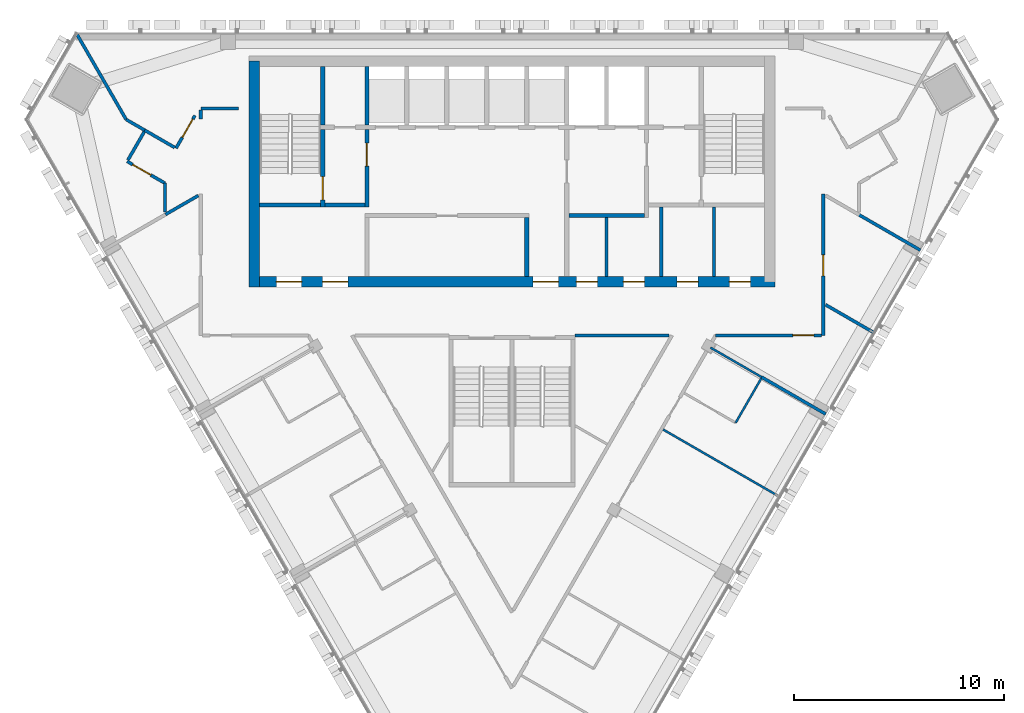
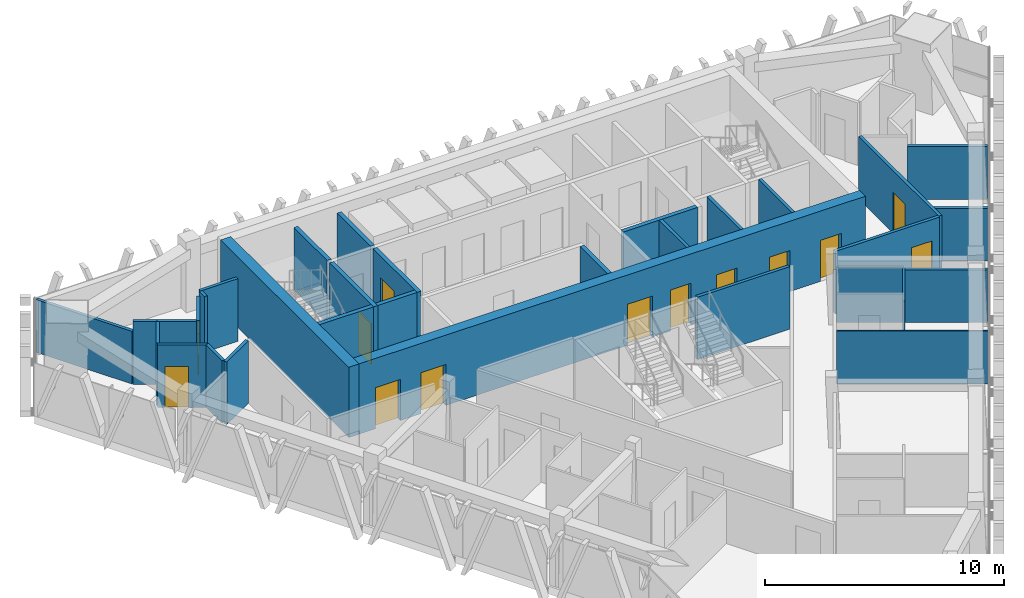
# One storey, part 9 of 14: 32 walls, 13 doors, 13 openings.
"""IFC4 building model written with IfcOpenShell, lengths in metres."""

from ifc_helpers import new_model, si_unit, direction, frame, frame_2d, origin, place, context, subcontext, project, spatial, rectangle, extrude, material, layer, layer_set, type_object, element, fill, save


model = new_model("IFC4")

# Units and contexts
model_context = context("Model", 3, precision=1e-05, world=origin(), true_north=direction((0.0, 1.0)))
body_context = subcontext(model_context, "Body", "Model", "MODEL_VIEW")
ifc_project = project(units=[si_unit("LENGTHUNIT", "METRE"), si_unit("AREAUNIT", "SQUARE_METRE"), si_unit("VOLUMEUNIT", "CUBIC_METRE"), si_unit("PLANEANGLEUNIT", "RADIAN"), si_unit("MASSUNIT", "GRAM", prefix="KILO")], contexts=[model_context])

# Site, building, storey
site_placement = place(None, origin())
site = spatial("IfcSite", under=ifc_project, at=site_placement, CompositionType="ELEMENT")
building_placement = place(site_placement, origin())
building = spatial("IfcBuilding", under=site, at=building_placement, Name="Altiplano Prism Tower", CompositionType="ELEMENT")
storey_placement = place(building_placement, frame((0.0, 0.0, 271.60009765625)))
storey = spatial("IfcBuildingStorey", under=building, at=storey_placement, Name="L70", CompositionType="ELEMENT", Elevation=271.60009765625)

# Wall, openings, doors
ifc_material_1 = material(Name="Concrete C60/75", Category="concrete")
ifc_layer_1 = layer(ifc_material_1, 0.5)
ifc_layer_set_1 = layer_set([ifc_layer_1], Name="Concrete C60/75")
wall_type_1 = type_object("IfcWallType", Name="Core wall 500", PredefinedType="SHEAR", material=ifc_layer_set_1)
wall_1_placement = place(storey_placement, frame((72.75, 93.14990234375, 0.0), z_axis=(0.0, 0.0, 1.0), x_axis=(1.0, 0.0, 0.0)))
wall_1 = element("IfcWall", 1, at=wall_1_placement, inside=storey, type_object=wall_type_1, Name="Core wall S L70", PredefinedType="SHEAR", context=body_context, shape_type="SweptSolid", body=[
    extrude(rectangle(XDim=24.75, YDim=0.5, at=frame_2d((12.375, 0.0))), origin(), (0.0, 0.0, 1.0), 3.599853515625),
])
opening_1_placement = place(wall_1_placement, frame((1.050048828125, 0.0, 0.0)))
opening_1 = element("IfcOpeningElement", 2, at=opening_1_placement, cuts=wall_1, Name="Opening D3567", PredefinedType="OPENING", context=body_context, shape_type="SweptSolid", body=[
    extrude(rectangle(XDim=1.199951171875, YDim=2.10009765625, at=frame_2d((0.60009765625, 1.050048828125))), frame((0.0, 0.260498046875, 0.0), z_axis=(0.0, -1.0, 0.0), x_axis=(1.0, 0.0, 0.0)), (0.0, 0.0, 1.0), 0.52099609375),
])
opening_2_placement = place(wall_1_placement, frame((3.25, 0.0, 0.0)))
opening_2 = element("IfcOpeningElement", 3, at=opening_2_placement, cuts=wall_1, Name="Opening D3568", PredefinedType="OPENING", context=body_context, shape_type="SweptSolid", body=[
    extrude(rectangle(XDim=1.199951171875, YDim=2.10009765625, at=frame_2d((0.60009765625, 1.050048828125))), frame((0.0, 0.260498046875, 0.0), z_axis=(0.0, -1.0, 0.0), x_axis=(1.0, 0.0, 0.0)), (0.0, 0.0, 1.0), 0.52099609375),
])
opening_3_placement = place(wall_1_placement, frame((13.25, 0.0, 0.0)))
opening_3 = element("IfcOpeningElement", 4, at=opening_3_placement, cuts=wall_1, Name="Opening D3569", PredefinedType="OPENING", context=body_context, shape_type="SweptSolid", body=[
    extrude(rectangle(XDim=1.199951171875, YDim=2.10009765625, at=frame_2d((0.60009765625, 1.050048828125))), frame((0.0, 0.260498046875, 0.0), z_axis=(0.0, -1.0, 0.0), x_axis=(1.0, 0.0, 0.0)), (0.0, 0.0, 1.0), 0.52099609375),
])
opening_4_placement = place(wall_1_placement, frame((15.3125, 0.0, 0.0)))
opening_4 = element("IfcOpeningElement", 5, at=opening_4_placement, cuts=wall_1, Name="Opening D3572", PredefinedType="OPENING", context=body_context, shape_type="SweptSolid", body=[
    extrude(rectangle(XDim=1.0, YDim=2.10009765625, at=frame_2d((0.5, 1.050048828125))), frame((0.0, 0.260498046875, 0.0), z_axis=(0.0, -1.0, 0.0), x_axis=(1.0, 0.0, 0.0)), (0.0, 0.0, 1.0), 0.52099609375),
])
opening_5_placement = place(wall_1_placement, frame((17.550048828125, 0.0, 0.0)))
opening_5 = element("IfcOpeningElement", 6, at=opening_5_placement, cuts=wall_1, Name="Opening D3573", PredefinedType="OPENING", context=body_context, shape_type="SweptSolid", body=[
    extrude(rectangle(XDim=1.0, YDim=2.10009765625, at=frame_2d((0.5, 1.050048828125))), frame((0.0, 0.260498046875, 0.0), z_axis=(0.0, -1.0, 0.0), x_axis=(1.0, 0.0, 0.0)), (0.0, 0.0, 1.0), 0.52099609375),
])
opening_6_placement = place(wall_1_placement, frame((20.10009765625, 0.0, 0.0)))
opening_6 = element("IfcOpeningElement", 7, at=opening_6_placement, cuts=wall_1, Name="Opening D3574", PredefinedType="OPENING", context=body_context, shape_type="SweptSolid", body=[
    extrude(rectangle(XDim=1.0, YDim=2.10009765625, at=frame_2d((0.5, 1.050048828125))), frame((0.0, 0.260498046875, 0.0), z_axis=(0.0, -1.0, 0.0), x_axis=(1.0, 0.0, 0.0)), (0.0, 0.0, 1.0), 0.52099609375),
])
opening_7_placement = place(wall_1_placement, frame((22.58740234375, 0.0, 0.0)))
opening_7 = element("IfcOpeningElement", 8, at=opening_7_placement, cuts=wall_1, Name="Opening D3575", PredefinedType="OPENING", context=body_context, shape_type="SweptSolid", body=[
    extrude(rectangle(XDim=1.0, YDim=2.10009765625, at=frame_2d((0.5, 1.050048828125))), frame((0.0, 0.260498046875, 0.0), z_axis=(0.0, -1.0, 0.0), x_axis=(1.0, 0.0, 0.0)), (0.0, 0.0, 1.0), 0.52099609375),
])
ifc_material_2 = material(Name="Fire-rated steel door", Category="steel")
door_type_1 = type_object("IfcDoorType", Name="Core room door 1000 x 2100", OperationType="NOTDEFINED", PredefinedType="NOTDEFINED", material=ifc_material_2)
door_1_placement = place(opening_4_placement, origin())
door_1 = element("IfcDoor", 9, at=door_1_placement, inside=storey, type_object=door_type_1, Name="Core room door D3572", OperationType="SINGLE_SWING_RIGHT", OverallHeight=2.10009765625, OverallWidth=1.0, PredefinedType="NOTDEFINED", context=body_context, shape_type="SweptSolid", body=[
    extrude(rectangle(XDim=1.0, YDim=2.10009765625, at=frame_2d((0.5, 1.050048828125))), frame((0.0, 0.02490234375, 0.0), z_axis=(0.0, -1.0, 0.0), x_axis=(1.0, 0.0, 0.0)), (0.0, 0.0, 1.0), 0.050048828125),
])
fill(opening_4, door_1)
door_2_placement = place(opening_5_placement, origin())
door_2 = element("IfcDoor", 10, at=door_2_placement, inside=storey, type_object=door_type_1, Name="Core room door D3573", OperationType="SINGLE_SWING_LEFT", OverallHeight=2.10009765625, OverallWidth=1.0, PredefinedType="NOTDEFINED", context=body_context, shape_type="SweptSolid", body=[
    extrude(rectangle(XDim=1.0, YDim=2.10009765625, at=frame_2d((0.5, 1.050048828125))), frame((0.0, 0.02490234375, 0.0), z_axis=(0.0, -1.0, 0.0), x_axis=(1.0, 0.0, 0.0)), (0.0, 0.0, 1.0), 0.050048828125),
])
fill(opening_5, door_2)
door_3_placement = place(opening_6_placement, origin())
door_3 = element("IfcDoor", 11, at=door_3_placement, inside=storey, type_object=door_type_1, Name="Core room door D3574", OperationType="SINGLE_SWING_RIGHT", OverallHeight=2.10009765625, OverallWidth=1.0, PredefinedType="NOTDEFINED", context=body_context, shape_type="SweptSolid", body=[
    extrude(rectangle(XDim=1.0, YDim=2.10009765625, at=frame_2d((0.5, 1.050048828125))), frame((0.0, 0.02490234375, 0.0), z_axis=(0.0, -1.0, 0.0), x_axis=(1.0, 0.0, 0.0)), (0.0, 0.0, 1.0), 0.050048828125),
])
fill(opening_6, door_3)
door_4_placement = place(opening_7_placement, origin())
door_4 = element("IfcDoor", 12, at=door_4_placement, inside=storey, type_object=door_type_1, Name="Core room door D3575", OperationType="SINGLE_SWING_LEFT", OverallHeight=2.10009765625, OverallWidth=1.0, PredefinedType="NOTDEFINED", context=body_context, shape_type="SweptSolid", body=[
    extrude(rectangle(XDim=1.0, YDim=2.10009765625, at=frame_2d((0.5, 1.050048828125))), frame((0.0, 0.02490234375, 0.0), z_axis=(0.0, -1.0, 0.0), x_axis=(1.0, 0.0, 0.0)), (0.0, 0.0, 1.0), 0.050048828125),
])
fill(opening_7, door_4)
door_type_2 = type_object("IfcDoorType", Name="Lobby fire door 1200 x 2100", OperationType="NOTDEFINED", PredefinedType="NOTDEFINED", material=ifc_material_2)
door_5_placement = place(opening_1_placement, origin())
door_5 = element("IfcDoor", 13, at=door_5_placement, inside=storey, type_object=door_type_2, Name="Lobby fire door D3567", OperationType="SINGLE_SWING_RIGHT", OverallHeight=2.10009765625, OverallWidth=1.199951171875, PredefinedType="NOTDEFINED", context=body_context, shape_type="SweptSolid", body=[
    extrude(rectangle(XDim=1.199951171875, YDim=2.10009765625, at=frame_2d((0.60009765625, 1.050048828125))), frame((0.0, 0.02490234375, 0.0), z_axis=(0.0, -1.0, 0.0), x_axis=(1.0, 0.0, 0.0)), (0.0, 0.0, 1.0), 0.050048828125),
])
fill(opening_1, door_5)
door_6_placement = place(opening_2_placement, origin())
door_6 = element("IfcDoor", 14, at=door_6_placement, inside=storey, type_object=door_type_2, Name="Lobby fire door D3568", OperationType="SINGLE_SWING_LEFT", OverallHeight=2.10009765625, OverallWidth=1.199951171875, PredefinedType="NOTDEFINED", context=body_context, shape_type="SweptSolid", body=[
    extrude(rectangle(XDim=1.199951171875, YDim=2.10009765625, at=frame_2d((0.60009765625, 1.050048828125))), frame((0.0, 0.02490234375, 0.0), z_axis=(0.0, -1.0, 0.0), x_axis=(1.0, 0.0, 0.0)), (0.0, 0.0, 1.0), 0.050048828125),
])
fill(opening_2, door_6)
door_7_placement = place(opening_3_placement, origin())
door_7 = element("IfcDoor", 15, at=door_7_placement, inside=storey, type_object=door_type_2, Name="Lobby fire door D3569", OperationType="SINGLE_SWING_RIGHT", OverallHeight=2.10009765625, OverallWidth=1.199951171875, PredefinedType="NOTDEFINED", context=body_context, shape_type="SweptSolid", body=[
    extrude(rectangle(XDim=1.199951171875, YDim=2.10009765625, at=frame_2d((0.60009765625, 1.050048828125))), frame((0.0, 0.02490234375, 0.0), z_axis=(0.0, -1.0, 0.0), x_axis=(1.0, 0.0, 0.0)), (0.0, 0.0, 1.0), 0.050048828125),
])
fill(opening_3, door_7)

# Walls
wall_2_placement = place(storey_placement, frame((72.75, 103.64990234375, 0.0), z_axis=(0.0, 0.0, 1.0), x_axis=(0.0, -1.0, 0.0)))
element("IfcWall", 16, at=wall_2_placement, inside=storey, type_object=wall_type_1, Name="Core wall W L70", PredefinedType="SHEAR", context=body_context, shape_type="SweptSolid", body=[
    extrude(rectangle(XDim=10.75, YDim=0.5, at=frame_2d((5.375, 0.0))), origin(), (0.0, 0.0, 1.0), 3.599853515625),
])
ifc_material_3 = material(Name="Plasterboard on steel stud", Category="steel")
ifc_layer_2 = layer(ifc_material_3, 0.10009765625)
ifc_layer_set_2 = layer_set([ifc_layer_2], Name="Plasterboard on steel stud")
wall_type_2 = type_object("IfcWallType", Name="Partition 100 unit", PredefinedType="PARTITIONING", material=ifc_layer_set_2)
wall_3_placement = place(storey_placement, frame((96.846435546875, 88.545654296875, 0.0), z_axis=(0.0, 0.0, 1.0), x_axis=(-0.499972286653, -0.866041403502, 0.0)))
element("IfcWall", 17, at=wall_3_placement, inside=storey, type_object=wall_type_2, Name="Partition P02 L70 051", PredefinedType="PARTITIONING", context=body_context, shape_type="SweptSolid", body=[
    extrude(rectangle(XDim=2.425048828125, YDim=0.10009765625, at=frame_2d((1.21240234375, 0.0))), origin(), (0.0, 0.0, 1.0), 2.7998046875),
])
ifc_layer_3 = layer(ifc_material_3, 0.10009765625)
ifc_layer_set_3 = layer_set([ifc_layer_3], Name="Plasterboard on steel stud")
wall_type_3 = type_object("IfcWallType", Name="Partition 100 wet", PredefinedType="PARTITIONING", material=ifc_layer_set_3)
wall_4_placement = place(storey_placement, frame((97.6826171875, 82.953369140625, 0.0), z_axis=(0.0, 0.0, 1.0), x_axis=(-0.866025401434, 0.500000004071, 0.0)))
element("IfcWall", 18, at=wall_4_placement, inside=storey, type_object=wall_type_3, Name="Partition P03 L70 050", PredefinedType="PARTITIONING", context=body_context, shape_type="SweptSolid", body=[
    extrude(rectangle(XDim=6.34521484375, YDim=0.10009765625, at=frame_2d((3.172607421875, 0.0))), origin(), (0.0, 0.0, 1.0), 2.699951171875),
])
wall_5_placement = place(storey_placement, frame((96.86669921875, 88.62060546875, 0.0), z_axis=(0.0, 0.0, 1.0), x_axis=(-0.866049342339, 0.499958534914, 0.0)))
element("IfcWall", 19, at=wall_5_placement, inside=storey, type_object=wall_type_3, Name="Partition P03 L70 054", PredefinedType="PARTITIONING", context=body_context, shape_type="SweptSolid", body=[
    extrude(rectangle(XDim=2.804931640625, YDim=0.10009765625, at=frame_2d((1.40234375, 0.0))), origin(), (0.0, 0.0, 1.0), 2.7998046875),
])
ifc_layer_4 = layer(ifc_material_3, 0.14990234375)
ifc_layer_set_4 = layer_set([ifc_layer_4], Name="Plasterboard on steel stud")
wall_type_4 = type_object("IfcWallType", Name="Partition 150 corridor", PredefinedType="PARTITIONING", material=ifc_layer_set_4)
wall_6_placement = place(storey_placement, frame((88.0, 90.59912109375, 0.0), z_axis=(0.0, 0.0, 1.0), x_axis=(0.99999998661, 0.000163648263, 0.0)))
element("IfcWall", 20, at=wall_6_placement, inside=storey, type_object=wall_type_4, Name="Partition P06 L70 001", PredefinedType="PARTITIONING", context=body_context, shape_type="SweptSolid", body=[
    extrude(rectangle(XDim=4.4755859375, YDim=0.14990234375, at=frame_2d((2.23779296875, 0.0))), origin(), (0.0, 0.0, 1.0), 3.199951171875),
])
wall_7_placement = place(storey_placement, frame((67.51318359375, 100.28515625, 0.0), z_axis=(0.0, 0.0, 1.0), x_axis=(-0.499899694197, -0.866083307622, 0.0)))
element("IfcWall", 21, at=wall_7_placement, inside=storey, type_object=wall_type_4, Name="Partition P06 L70 005", PredefinedType="PARTITIONING", context=body_context, shape_type="SweptSolid", body=[
    extrude(rectangle(XDim=1.550048828125, YDim=0.14990234375, at=frame_2d((0.77490234375, 0.0))), origin(), (0.0, 0.0, 1.0), 3.199951171875),
])

# Wall, opening, door
wall_8_placement = place(storey_placement, frame((66.70068359375, 98.877685546875, 0.0), z_axis=(0.0, 0.0, 1.0), x_axis=(0.866029041019, -0.499993700073, 0.0)))
wall_8 = element("IfcWall", 22, at=wall_8_placement, inside=storey, type_object=wall_type_4, Name="Partition P06 L70 006", PredefinedType="PARTITIONING", context=body_context, shape_type="SweptSolid", body=[
    extrude(rectangle(XDim=2.07763671875, YDim=0.14990234375, at=frame_2d((1.038818359375, 0.0))), origin(), (0.0, 0.0, 1.0), 3.199951171875),
])
opening_8_placement = place(wall_8_placement, frame((0.302001953125, 0.0, 0.0)))
opening_8 = element("IfcOpeningElement", 23, at=opening_8_placement, cuts=wall_8, Name="Opening D2207", PredefinedType="OPENING", context=body_context, shape_type="SweptSolid", body=[
    extrude(rectangle(XDim=1.0, YDim=2.10009765625, at=frame_2d((0.5, 1.050048828125))), frame((0.0, 0.08544921875, 0.0), z_axis=(0.0, -1.0, 0.0), x_axis=(1.0, 0.0, 0.0)), (0.0, 0.0, 1.0), 0.1708984375),
])
ifc_material_4 = material(Name="Timber", Category="wood")
door_type_3 = type_object("IfcDoorType", Name="Room door 1000 x 2100", OperationType="NOTDEFINED", PredefinedType="NOTDEFINED", material=ifc_material_4)
door_8_placement = place(opening_8_placement, origin())
door_8 = element("IfcDoor", 24, at=door_8_placement, inside=storey, type_object=door_type_3, Name="Door D2207", OperationType="SINGLE_SWING_RIGHT", OverallHeight=2.10009765625, OverallWidth=1.0, PredefinedType="NOTDEFINED", context=body_context, shape_type="SweptSolid", body=[
    extrude(rectangle(XDim=1.0, YDim=2.10009765625, at=frame_2d((0.5, 1.050048828125))), frame((0.0, 0.02490234375, 0.0), z_axis=(0.0, -1.0, 0.0), x_axis=(1.0, 0.0, 0.0)), (0.0, 0.0, 1.0), 0.050048828125),
])
fill(opening_8, door_8)

# Walls
wall_9_placement = place(storey_placement, frame((68.5, 97.8388671875, 0.0), z_axis=(0.0, 0.0, 1.0), x_axis=(0.0, -1.0, 0.0)))
element("IfcWall", 25, at=wall_9_placement, inside=storey, type_object=wall_type_4, Name="Partition P06 L70 007", PredefinedType="PARTITIONING", context=body_context, shape_type="SweptSolid", body=[
    extrude(rectangle(XDim=1.37109375, YDim=0.14990234375, at=frame_2d((0.685546875, 0.0))), origin(), (0.0, 0.0, 1.0), 3.199951171875),
])
wall_10_placement = place(storey_placement, frame((68.52001953125, 96.349365234375, 0.0), z_axis=(0.0, 0.0, 1.0), x_axis=(0.866001380566, 0.500041607127, 0.0)))
element("IfcWall", 26, at=wall_10_placement, inside=storey, type_object=wall_type_4, Name="Partition P06 L70 008", PredefinedType="PARTITIONING", context=body_context, shape_type="SweptSolid", body=[
    extrude(rectangle(XDim=1.809814453125, YDim=0.14990234375, at=frame_2d((0.90478515625, 0.0))), origin(), (0.0, 0.0, 1.0), 3.199951171875),
])

# Wall, opening, door
wall_11_placement = place(storey_placement, frame((94.68408203125, 90.60009765625, 0.0), z_axis=(0.0, 0.0, 1.0), x_axis=(1.0, 0.0, 0.0)))
wall_11 = element("IfcWall", 27, at=wall_11_placement, inside=storey, type_object=wall_type_4, Name="Partition P06 L70 013", PredefinedType="PARTITIONING", context=body_context, shape_type="SweptSolid", body=[
    extrude(rectangle(XDim=5.041015625, YDim=0.14990234375, at=frame_2d((2.5205078125, 0.0))), origin(), (0.0, 0.0, 1.0), 3.199951171875),
])
opening_9_placement = place(wall_11_placement, frame((3.672119140625, 0.0, 0.0)))
opening_9 = element("IfcOpeningElement", 28, at=opening_9_placement, cuts=wall_11, Name="Opening D2222", PredefinedType="OPENING", context=body_context, shape_type="SweptSolid", body=[
    extrude(rectangle(XDim=1.0, YDim=2.10009765625, at=frame_2d((0.5, 1.050048828125))), frame((0.0, 0.08544921875, 0.0), z_axis=(0.0, -1.0, 0.0), x_axis=(1.0, 0.0, 0.0)), (0.0, 0.0, 1.0), 0.1708984375),
])
door_9_placement = place(opening_9_placement, origin())
door_9 = element("IfcDoor", 29, at=door_9_placement, inside=storey, type_object=door_type_3, Name="Door D2222", OperationType="SINGLE_SWING_RIGHT", OverallHeight=2.10009765625, OverallWidth=1.0, PredefinedType="NOTDEFINED", context=body_context, shape_type="SweptSolid", body=[
    extrude(rectangle(XDim=1.0, YDim=2.10009765625, at=frame_2d((0.5, 1.050048828125))), frame((0.0, 0.02490234375, 0.0), z_axis=(0.0, -1.0, 0.0), x_axis=(1.0, 0.0, 0.0)), (0.0, 0.0, 1.0), 0.050048828125),
])
fill(opening_9, door_9)

wall_12_placement = place(storey_placement, frame((99.800048828125, 90.60009765625, 0.0), z_axis=(0.0, 0.0, 1.0), x_axis=(0.0, 1.0, 0.0)))
wall_12 = element("IfcWall", 30, at=wall_12_placement, inside=storey, type_object=wall_type_4, Name="Partition P06 L70 014", PredefinedType="PARTITIONING", context=body_context, shape_type="SweptSolid", body=[
    extrude(rectangle(XDim=6.71923828125, YDim=0.14990234375, at=frame_2d((3.359619140625, 0.0))), origin(), (0.0, 0.0, 1.0), 3.199951171875),
])
opening_10_placement = place(wall_12_placement, frame((2.826904296875, 0.0, 0.0)))
opening_10 = element("IfcOpeningElement", 31, at=opening_10_placement, cuts=wall_12, Name="Opening D2223", PredefinedType="OPENING", context=body_context, shape_type="SweptSolid", body=[
    extrude(rectangle(XDim=1.0, YDim=2.10009765625, at=frame_2d((0.5, 1.050048828125))), frame((0.0, 0.08544921875, 0.0), z_axis=(0.0, -1.0, 0.0), x_axis=(1.0, 0.0, 0.0)), (0.0, 0.0, 1.0), 0.1708984375),
])
door_10_placement = place(opening_10_placement, origin())
door_10 = element("IfcDoor", 32, at=door_10_placement, inside=storey, type_object=door_type_3, Name="Door D2223", OperationType="SINGLE_SWING_RIGHT", OverallHeight=2.10009765625, OverallWidth=1.0, PredefinedType="NOTDEFINED", context=body_context, shape_type="SweptSolid", body=[
    extrude(rectangle(XDim=1.0, YDim=2.10009765625, at=frame_2d((0.5, 1.050048828125))), frame((0.0, 0.02490234375, 0.0), z_axis=(0.0, -1.0, 0.0), x_axis=(1.0, 0.0, 0.0)), (0.0, 0.0, 1.0), 0.050048828125),
])
fill(opening_10, door_10)

# Walls
wall_13_placement = place(storey_placement, frame((72.0, 101.39990234375, 0.0), z_axis=(0.0, 0.0, 1.0), x_axis=(-1.0, 0.0, 0.0)))
element("IfcWall", 33, at=wall_13_placement, inside=storey, type_object=wall_type_4, Name="Partition P06 L70 019", PredefinedType="PARTITIONING", context=body_context, shape_type="SweptSolid", body=[
    extrude(rectangle(XDim=1.800048828125, YDim=0.14990234375, at=frame_2d((0.89990234375, 0.0))), origin(), (0.0, 0.0, 1.0), 3.199951171875),
])
wall_14_placement = place(storey_placement, frame((70.199951171875, 101.324951171875, 0.0), z_axis=(0.0, 0.0, 1.0), x_axis=(0.0, -1.0, 0.0)))
element("IfcWall", 34, at=wall_14_placement, inside=storey, type_object=wall_type_4, Name="Partition P06 L70 020", PredefinedType="PARTITIONING", context=body_context, shape_type="SweptSolid", body=[
    extrude(rectangle(XDim=0.426025390625, YDim=0.14990234375, at=frame_2d((0.212890625, 0.0))), origin(), (0.0, 0.0, 1.0), 3.199951171875),
])

# Wall, opening, door
wall_15_placement = place(storey_placement, frame((69.9228515625, 101.058837890625, 0.0), z_axis=(0.0, 0.0, 1.0), x_axis=(-0.499961193289, -0.866047807691, 0.0)))
wall_15 = element("IfcWall", 35, at=wall_15_placement, inside=storey, type_object=wall_type_4, Name="Partition P06 L70 021", PredefinedType="PARTITIONING", context=body_context, shape_type="SweptSolid", body=[
    extrude(rectangle(XDim=1.800048828125, YDim=0.14990234375, at=frame_2d((0.89990234375, 0.0))), origin(), (0.0, 0.0, 1.0), 3.199951171875),
])
opening_11_placement = place(wall_15_placement, frame((0.199951171875, 0.0, 0.0)))
opening_11 = element("IfcOpeningElement", 36, at=opening_11_placement, cuts=wall_15, Name="Opening D2225", PredefinedType="OPENING", context=body_context, shape_type="SweptSolid", body=[
    extrude(rectangle(XDim=1.0, YDim=2.10009765625, at=frame_2d((0.5, 1.050048828125))), frame((0.0, 0.08544921875, 0.0), z_axis=(0.0, -1.0, 0.0), x_axis=(1.0, 0.0, 0.0)), (0.0, 0.0, 1.0), 0.1708984375),
])
door_11_placement = place(opening_11_placement, origin())
door_11 = element("IfcDoor", 37, at=door_11_placement, inside=storey, type_object=door_type_3, Name="Door D2225", OperationType="SINGLE_SWING_LEFT", OverallHeight=2.10009765625, OverallWidth=1.0, PredefinedType="NOTDEFINED", context=body_context, shape_type="SweptSolid", body=[
    extrude(rectangle(XDim=1.0, YDim=2.10009765625, at=frame_2d((0.5, 1.050048828125))), frame((0.0, 0.02490234375, 0.0), z_axis=(0.0, -1.0, 0.0), x_axis=(1.0, 0.0, 0.0)), (0.0, 0.0, 1.0), 0.050048828125),
])
fill(opening_11, door_11)

# Walls
wall_16_placement = place(storey_placement, frame((68.9580078125, 99.53759765625, 0.0), z_axis=(0.0, 0.0, 1.0), x_axis=(-0.866015045157, 0.50001794124, 0.0)))
element("IfcWall", 38, at=wall_16_placement, inside=storey, type_object=wall_type_4, Name="Partition P06 L70 022", PredefinedType="PARTITIONING", context=body_context, shape_type="SweptSolid", body=[
    extrude(rectangle(XDim=1.64501953125, YDim=0.14990234375, at=frame_2d((0.822509765625, 0.0))), origin(), (0.0, 0.0, 1.0), 3.199951171875),
])
ifc_layer_5 = layer(ifc_material_3, 0.14990234375)
ifc_layer_set_5 = layer_set([ifc_layer_5], Name="Plasterboard on steel stud")
wall_type_5 = type_object("IfcWallType", Name="Partition 150 party", PredefinedType="PARTITIONING", material=ifc_layer_set_5)
wall_17_placement = place(storey_placement, frame((67.533447265625, 100.360107421875, 0.0), z_axis=(0.0, 0.0, 1.0), x_axis=(-0.866049759928, 0.499957811549, 0.0)))
element("IfcWall", 39, at=wall_17_placement, inside=storey, type_object=wall_type_5, Name="Partition P01 L70 030", PredefinedType="PARTITIONING", context=body_context, shape_type="SweptSolid", body=[
    extrude(rectangle(XDim=1.017578125, YDim=0.14990234375, at=frame_2d((0.5087890625, 0.0))), origin(), (0.0, 0.0, 1.0), 3.199951171875),
])
wall_18_placement = place(storey_placement, frame((66.652099609375, 100.868896484375, 0.0), z_axis=(0.0, 0.0, 1.0), x_axis=(-0.500014543469, 0.866017006946, 0.0)))
element("IfcWall", 40, at=wall_18_placement, inside=storey, type_object=wall_type_5, Name="Partition P01 L70 031", PredefinedType="PARTITIONING", context=body_context, shape_type="SweptSolid", body=[
    extrude(rectangle(XDim=4.654541015625, YDim=0.14990234375, at=frame_2d((2.3271484375, 0.0))), origin(), (0.0, 0.0, 1.0), 2.699951171875),
])
wall_19_placement = place(storey_placement, frame((99.9150390625, 86.860595703125, 0.0), z_axis=(0.0, 0.0, 1.0), x_axis=(-0.866019260715, 0.500010639957, 0.0)))
element("IfcWall", 41, at=wall_19_placement, inside=storey, type_object=wall_type_5, Name="Partition P01 L70 053", PredefinedType="PARTITIONING", context=body_context, shape_type="SweptSolid", body=[
    extrude(rectangle(XDim=3.52001953125, YDim=0.14990234375, at=frame_2d((1.760009765625, 0.0))), origin(), (0.0, 0.0, 1.0), 2.699951171875),
])
wall_20_placement = place(storey_placement, frame((102.1826171875, 90.74755859375, 0.0), z_axis=(0.0, 0.0, 1.0), x_axis=(-0.866033583042, 0.499985832843, 0.0)))
element("IfcWall", 42, at=wall_20_placement, inside=storey, type_object=wall_type_5, Name="Partition P01 L70 055", PredefinedType="PARTITIONING", context=body_context, shape_type="SweptSolid", body=[
    extrude(rectangle(XDim=2.62109375, YDim=0.14990234375, at=frame_2d((1.310546875, 0.0))), origin(), (0.0, 0.0, 1.0), 2.699951171875),
])
wall_21_placement = place(storey_placement, frame((104.4150390625, 94.65478515625, 0.0), z_axis=(0.0, 0.0, 1.0), x_axis=(-0.866011654119, 0.500023814363, 0.0)))
element("IfcWall", 43, at=wall_21_placement, inside=storey, type_object=wall_type_5, Name="Partition P01 L70 056", PredefinedType="PARTITIONING", context=body_context, shape_type="SweptSolid", body=[
    extrude(rectangle(XDim=3.365966796875, YDim=0.14990234375, at=frame_2d((1.68310546875, 0.0))), origin(), (0.0, 0.0, 1.0), 2.699951171875),
])
ifc_material_5 = material(Name="Fire-rated gypsum board partition")
ifc_layer_6 = layer(ifc_material_5, 0.14990234375)
ifc_layer_set_6 = layer_set([ifc_layer_6], Name="Fire-rated gypsum board partition")
wall_type_6 = type_object("IfcWallType", Name="Room partition 150", PredefinedType="PARTITIONING", material=ifc_layer_set_6)
wall_22_placement = place(storey_placement, frame((89.5, 93.39990234375, 0.0), z_axis=(0.0, 0.0, 1.0), x_axis=(0.0, 1.0, 0.0)))
element("IfcWall", 44, at=wall_22_placement, inside=storey, type_object=wall_type_6, Name="Room partition L70", PredefinedType="PARTITIONING", context=body_context, shape_type="SweptSolid", body=[
    extrude(rectangle(XDim=2.800048828125, YDim=0.14990234375, at=frame_2d((1.39990234375, 0.0))), origin(), (0.0, 0.0, 1.0), 3.199951171875),
])
for number, where, z_axis, x_axis, name in (
    (45, (92.10009765625, 93.39990234375, 0.0), (0.0, 0.0, 1.0), (0.0, 1.0, 0.0), "Room partition L70"),
    (46, (94.60009765625, 93.39990234375, 0.0), (0.0, 0.0, 1.0), (0.0, 1.0, 0.0), "Room partition L70"),
):
    element("IfcWall", number, at=place(storey_placement, frame(where, z_axis=z_axis, x_axis=x_axis)), inside=storey, type_object=wall_type_6, Name=name, PredefinedType="PARTITIONING", context=body_context, shape_type="SweptSolid", body=[
        extrude(rectangle(XDim=3.300048828125, YDim=0.14990234375, at=frame_2d((1.64990234375, 0.0))), origin(), (0.0, 0.0, 1.0), 3.199951171875),
    ])
ifc_layer_7 = layer(ifc_material_1, 0.199951171875)
ifc_layer_set_7 = layer_set([ifc_layer_7], Name="Concrete C60/75")
wall_type_7 = type_object("IfcWallType", Name="Shaft wall 200", PredefinedType="SOLIDWALL", material=ifc_layer_set_7)
wall_23_placement = place(storey_placement, frame((78.10009765625, 100.60009765625, 0.0), z_axis=(0.0, 0.0, 1.0), x_axis=(0.0, 1.0, 0.0)))
element("IfcWall", 47, at=wall_23_placement, inside=storey, type_object=wall_type_7, Name="Shaft wall L70", PredefinedType="SOLIDWALL", context=body_context, shape_type="SweptSolid", body=[
    extrude(rectangle(XDim=2.7998046875, YDim=0.199951171875, at=frame_2d((1.39990234375, 0.0))), origin(), (0.0, 0.0, 1.0), 3.199951171875),
])
ifc_layer_8 = layer(ifc_material_1, 0.199951171875)
ifc_layer_set_8 = layer_set([ifc_layer_8], Name="Concrete C60/75")
wall_type_8 = type_object("IfcWallType", Name="Stair wall 200", PredefinedType="SOLIDWALL", material=ifc_layer_set_8)
wall_24_placement = place(storey_placement, frame((73.0, 96.800048828125, 0.0), z_axis=(0.0, 0.0, 1.0), x_axis=(1.0, 0.0, 0.0)))
element("IfcWall", 48, at=wall_24_placement, inside=storey, type_object=wall_type_8, Name="Stair wall L70", PredefinedType="SOLIDWALL", context=body_context, shape_type="SweptSolid", body=[
    extrude(rectangle(XDim=2.89990234375, YDim=0.199951171875, at=frame_2d((1.449951171875, 0.0))), origin(), (0.0, 0.0, 1.0), 3.199951171875),
])

# Wall, opening, door
wall_25_placement = place(storey_placement, frame((76.0, 96.699951171875, 0.0), z_axis=(0.0, 0.0, 1.0), x_axis=(0.0, 1.0, 0.0)))
wall_25 = element("IfcWall", 49, at=wall_25_placement, inside=storey, type_object=wall_type_8, Name="Stair wall L70", PredefinedType="SOLIDWALL", context=body_context, shape_type="SweptSolid", body=[
    extrude(rectangle(XDim=3.699951171875, YDim=0.199951171875, at=frame_2d((1.85009765625, 0.0))), origin(), (0.0, 0.0, 1.0), 3.199951171875),
])
opening_12_placement = place(wall_25_placement, frame((0.35009765625, 0.0, 0.0)))
opening_12 = element("IfcOpeningElement", 50, at=opening_12_placement, cuts=wall_25, Name="Opening D3562", PredefinedType="OPENING", context=body_context, shape_type="SweptSolid", body=[
    extrude(rectangle(XDim=1.10009765625, YDim=2.10009765625, at=frame_2d((0.550048828125, 1.050048828125))), frame((0.0, 0.1103515625, 0.0), z_axis=(0.0, -1.0, 0.0), x_axis=(1.0, 0.0, 0.0)), (0.0, 0.0, 1.0), 0.220947265625),
])
door_type_4 = type_object("IfcDoorType", Name="Stair fire door 1100 x 2100", OperationType="NOTDEFINED", PredefinedType="NOTDEFINED", material=ifc_material_2)
door_12_placement = place(opening_12_placement, origin())
door_12 = element("IfcDoor", 51, at=door_12_placement, inside=storey, type_object=door_type_4, Name="Stair fire door D3562", OperationType="SINGLE_SWING_RIGHT", OverallHeight=2.10009765625, OverallWidth=1.10009765625, PredefinedType="NOTDEFINED", context=body_context, shape_type="SweptSolid", body=[
    extrude(rectangle(XDim=1.10009765625, YDim=2.10009765625, at=frame_2d((0.550048828125, 1.050048828125))), frame((0.0, 0.02490234375, 0.0), z_axis=(0.0, -1.0, 0.0), x_axis=(1.0, 0.0, 0.0)), (0.0, 0.0, 1.0), 0.050048828125),
])
fill(opening_12, door_12)

# Walls
wall_26_placement = place(storey_placement, frame((76.0, 100.60009765625, 0.0), z_axis=(0.0, 0.0, 1.0), x_axis=(0.0, 1.0, 0.0)))
element("IfcWall", 52, at=wall_26_placement, inside=storey, type_object=wall_type_8, Name="Stair wall L70", PredefinedType="SOLIDWALL", context=body_context, shape_type="SweptSolid", body=[
    extrude(rectangle(XDim=2.7998046875, YDim=0.199951171875, at=frame_2d((1.39990234375, 0.0))), origin(), (0.0, 0.0, 1.0), 3.199951171875),
])
ifc_layer_9 = layer(ifc_material_1, 0.199951171875)
ifc_layer_set_9 = layer_set([ifc_layer_9], Name="Concrete C60/75")
wall_type_9 = type_object("IfcWallType", Name="Vestibule wall 200", PredefinedType="PARTITIONING", material=ifc_layer_set_9)
wall_27_placement = place(storey_placement, frame((85.699951171875, 93.39990234375, 0.0), z_axis=(0.0, 0.0, 1.0), x_axis=(0.0, 1.0, 0.0)))
element("IfcWall", 53, at=wall_27_placement, inside=storey, type_object=wall_type_9, Name="Vestibule wall L70", PredefinedType="PARTITIONING", context=body_context, shape_type="SweptSolid", body=[
    extrude(rectangle(XDim=2.800048828125, YDim=0.199951171875, at=frame_2d((1.39990234375, 0.0))), origin(), (0.0, 0.0, 1.0), 3.199951171875),
])
wall_28_placement = place(storey_placement, frame((87.699951171875, 96.300048828125, 0.0), z_axis=(0.0, 0.0, 1.0), x_axis=(1.0, 0.0, 0.0)))
element("IfcWall", 54, at=wall_28_placement, inside=storey, type_object=wall_type_9, Name="Vestibule wall L70", PredefinedType="PARTITIONING", context=body_context, shape_type="SweptSolid", body=[
    extrude(rectangle(XDim=3.60009765625, YDim=0.199951171875, at=frame_2d((1.800048828125, 0.0))), origin(), (0.0, 0.0, 1.0), 3.199951171875),
])
wall_29_placement = place(storey_placement, frame((76.10009765625, 96.800048828125, 0.0), z_axis=(0.0, 0.0, 1.0), x_axis=(1.0, 0.0, 0.0)))
element("IfcWall", 55, at=wall_29_placement, inside=storey, type_object=wall_type_9, Name="Vestibule wall L70", PredefinedType="PARTITIONING", context=body_context, shape_type="SweptSolid", body=[
    extrude(rectangle(XDim=1.89990234375, YDim=0.199951171875, at=frame_2d((0.949951171875, 0.0))), origin(), (0.0, 0.0, 1.0), 3.199951171875),
])

# Wall, opening, door
wall_30_placement = place(storey_placement, frame((78.10009765625, 96.699951171875, 0.0), z_axis=(0.0, 0.0, 1.0), x_axis=(0.0, 1.0, 0.0)))
wall_30 = element("IfcWall", 56, at=wall_30_placement, inside=storey, type_object=wall_type_9, Name="Vestibule wall L70", PredefinedType="PARTITIONING", context=body_context, shape_type="SweptSolid", body=[
    extrude(rectangle(XDim=3.699951171875, YDim=0.199951171875, at=frame_2d((1.85009765625, 0.0))), origin(), (0.0, 0.0, 1.0), 3.199951171875),
])
opening_13_placement = place(wall_30_placement, frame((1.949951171875, 0.0, 0.0)))
opening_13 = element("IfcOpeningElement", 57, at=opening_13_placement, cuts=wall_30, Name="Opening D3564", PredefinedType="OPENING", context=body_context, shape_type="SweptSolid", body=[
    extrude(rectangle(XDim=1.10009765625, YDim=2.10009765625, at=frame_2d((0.550048828125, 1.050048828125))), frame((0.0, 0.1103515625, 0.0), z_axis=(0.0, -1.0, 0.0), x_axis=(1.0, 0.0, 0.0)), (0.0, 0.0, 1.0), 0.220947265625),
])
door_type_5 = type_object("IfcDoorType", Name="Vestibule fire door 1100 x 2100", OperationType="NOTDEFINED", PredefinedType="NOTDEFINED", material=ifc_material_2)
door_13_placement = place(opening_13_placement, origin())
door_13 = element("IfcDoor", 58, at=door_13_placement, inside=storey, type_object=door_type_5, Name="Vestibule fire door D3564", OperationType="SINGLE_SWING_LEFT", OverallHeight=2.10009765625, OverallWidth=1.10009765625, PredefinedType="NOTDEFINED", context=body_context, shape_type="SweptSolid", body=[
    extrude(rectangle(XDim=1.10009765625, YDim=2.10009765625, at=frame_2d((0.550048828125, 1.050048828125))), frame((0.0, 0.02490234375, 0.0), z_axis=(0.0, -1.0, 0.0), x_axis=(1.0, 0.0, 0.0)), (0.0, 0.0, 1.0), 0.050048828125),
])
fill(opening_13, door_13)

save(model, "model.ifc")
